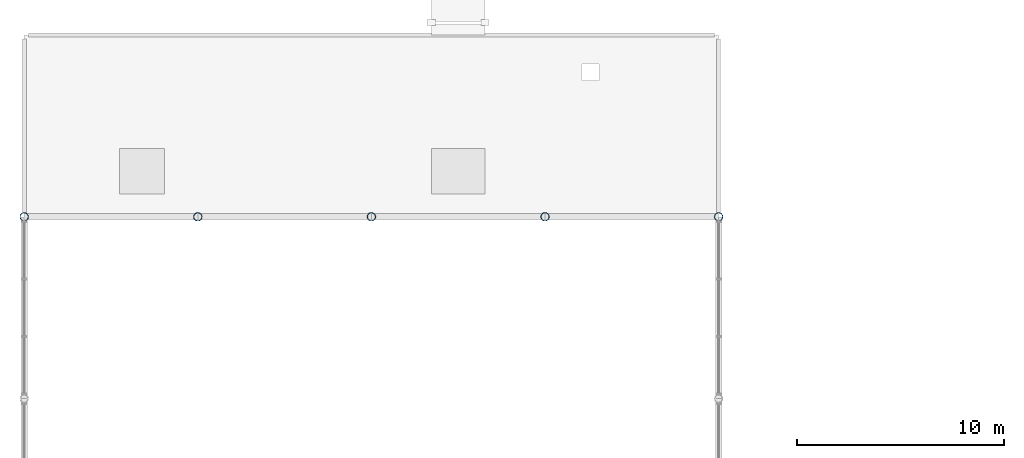
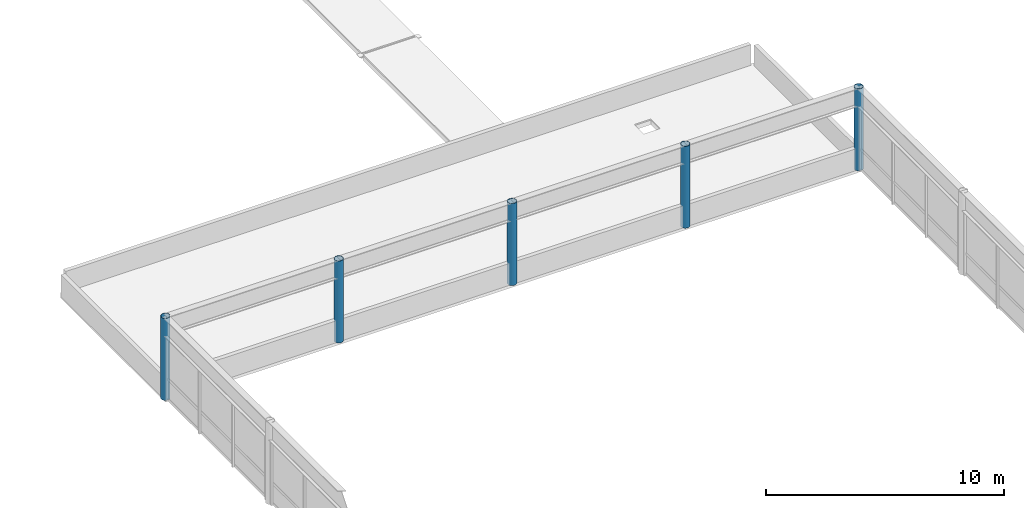
# One storey, part 3 of 46: 5 columns.
"""IFC4 building model written with IfcOpenShell, lengths in metres."""

from ifc_helpers import new_model, si_unit, direction, frame, origin, origin_2d, place, context, subcontext, project, spatial, hollow_circle, extrude, material, material_profile, profile_set, type_object, element, save


model = new_model("IFC4")

# Units and contexts
model_context = context("Model", 3, precision=1e-05, world=origin(), true_north=direction((0.0, 1.0)))
body_context = subcontext(model_context, "Body", "Model", "MODEL_VIEW")
ifc_project = project(units=[si_unit("LENGTHUNIT", "METRE"), si_unit("AREAUNIT", "SQUARE_METRE"), si_unit("VOLUMEUNIT", "CUBIC_METRE"), si_unit("PLANEANGLEUNIT", "RADIAN"), si_unit("MASSUNIT", "GRAM", prefix="KILO")], contexts=[model_context])

# Site, building, storey
site_placement = place(None, origin())
site = spatial("IfcSite", under=ifc_project, at=site_placement, CompositionType="ELEMENT")
building_placement = place(site_placement, origin())
building = spatial("IfcBuilding", under=site, at=building_placement, Name="Kemercrest Conservatory and Botanical Centre", CompositionType="ELEMENT")
storey_placement = place(building_placement, frame((0.0, 0.0, 9.0)))
storey = spatial("IfcBuildingStorey", under=building, at=storey_placement, Name="L02", CompositionType="ELEMENT", Elevation=9.0)

# Columns
ifc_material = material(Name="Steel CSA G40.21 350W", Category="steel")
ifc_material_profile = material_profile(ifc_material, hollow_circle(Radius=0.203125, WallThickness=0.01611328125, at=origin_2d()), Name="CHS 406.4x16.0")
ifc_profile_set = profile_set([ifc_material_profile], Name="Steel CSA G40.21 350W")
column_type = type_object("IfcColumnType", Name="C-S406", PredefinedType="COLUMN", material=ifc_profile_set)
for number, where, z_axis, x_axis, name in (
    (1, (8.0, 52.0, 0.0), (0.0, 0.0, 1.0), (1.0, 0.0, 0.0), "Conservatory perimeter steel column 01/F"),
    (2, (16.39990234375, 52.0, 0.0), (0.0, 0.0, 1.0), (1.0, 0.0, 0.0), "Conservatory perimeter steel column 02/F"),
    (3, (24.800048828125, 52.0, 0.0), (0.0, 0.0, 1.0), (1.0, 0.0, 0.0), "Conservatory perimeter steel column 03/F"),
    (4, (33.199951171875, 52.0, 0.0), (0.0, 0.0, 1.0), (1.0, 0.0, 0.0), "Conservatory perimeter steel column 04/F"),
    (5, (41.60009765625, 52.0, 0.0), (0.0, 0.0, 1.0), (1.0, 0.0, 0.0), "Conservatory perimeter steel column 05/F"),
):
    element("IfcColumn", number, at=place(storey_placement, frame(where, z_axis=z_axis, x_axis=x_axis)), inside=storey, type_object=column_type, Name=name, PredefinedType="COLUMN", context=body_context, shape_type="SweptSolid", body=[
        extrude(hollow_circle(Radius=0.203125, WallThickness=0.01611328125, at=origin_2d()), origin(), (0.0, 0.0, 1.0), 4.199951171875),
    ])

save(model, "model.ifc")
